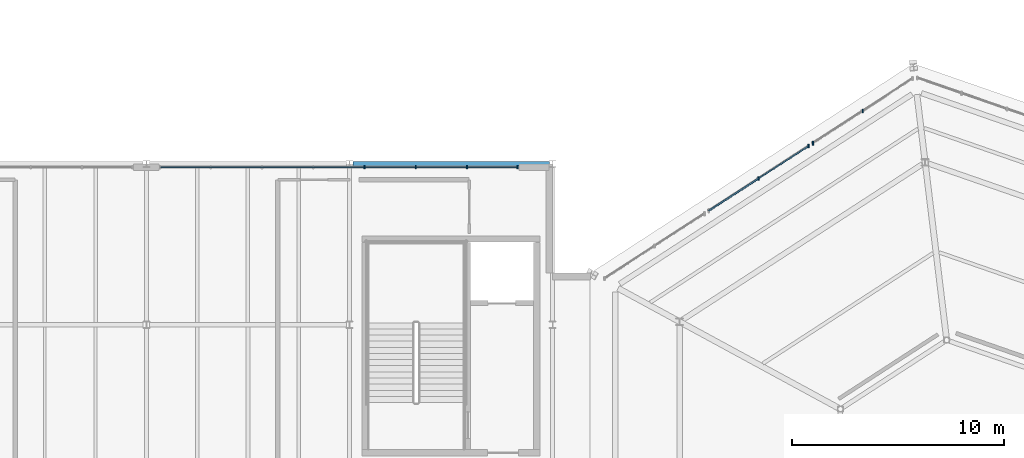
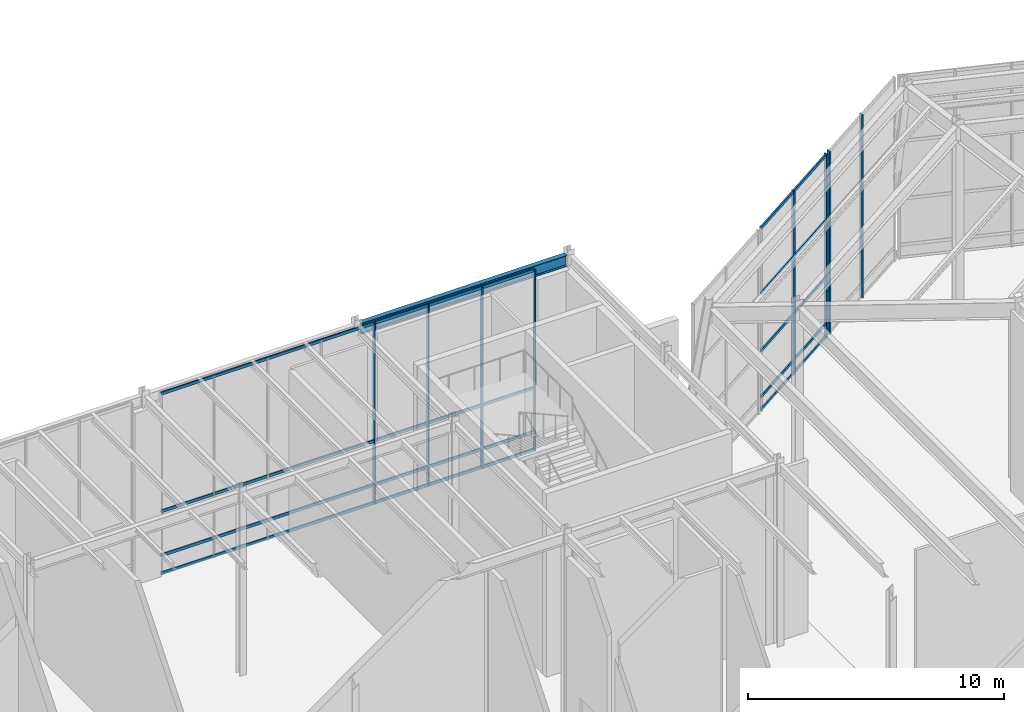
# One storey, part 20 of 48: 17 members, 1 beam, 3 elements without a shape of their own.
"""IFC4 building model written with IfcOpenShell, lengths in metres."""

from ifc_helpers import new_model, si_unit, direction, frame, origin, origin_2d, place, context, subcontext, project, spatial, rectangle, i_section, extrude, material, material_profile, profile_set, type_object, element, aggregate, save


model = new_model("IFC4")

# Units and contexts
model_context = context("Model", 3, precision=1e-05, world=origin(), true_north=direction((0.0, 1.0)))
body_context = subcontext(model_context, "Body", "Model", "MODEL_VIEW")
ifc_project = project(units=[si_unit("LENGTHUNIT", "METRE"), si_unit("AREAUNIT", "SQUARE_METRE"), si_unit("VOLUMEUNIT", "CUBIC_METRE"), si_unit("PLANEANGLEUNIT", "RADIAN"), si_unit("MASSUNIT", "GRAM", prefix="KILO")], contexts=[model_context])

# Site, building, storey
site_placement = place(None, origin())
site = spatial("IfcSite", under=ifc_project, at=site_placement, CompositionType="ELEMENT")
building_placement = place(site_placement, origin())
building = spatial("IfcBuilding", under=site, at=building_placement, Name="Sarnbrook Museum", CompositionType="ELEMENT")
storey_placement = place(building_placement, frame((0.0, 0.0, 19.10009765625)))
storey = spatial("IfcBuildingStorey", under=building, at=storey_placement, Name="L04", CompositionType="ELEMENT", Elevation=19.10009765625)

# Beam
ifc_material_1 = material(Name="Structural Steel Grade 300PLUS (AS/NZS 3679.1, fy = 280 MPa for 17 < t <= 40 mm, 300 MPa for t <= 17 mm)", Category="steel")
ifc_material_profile_1 = material_profile(ifc_material_1, i_section(OverallWidth=0.208984375, OverallDepth=0.532958984375, WebThickness=0.01025390625, FlangeThickness=0.015625, FilletRadius=0.013916015625, at=origin_2d()), Name="530UB92.4")
ifc_profile_set_1 = profile_set([ifc_material_profile_1], Name="Structural Steel Grade 300PLUS (AS/NZS 3679.1, fy = 280 MPa for 17 < t <= 40 mm, 300 MPa for t <= 17 mm)")
beam_type = type_object("IfcBeamType", Name="BM-UB530", PredefinedType="BEAM", material=ifc_profile_set_1)
beam_placement = place(storey_placement, frame((109.75341796875, 108.39990234375, 8.4833984375), z_axis=(1.0, 0.0, 0.0), x_axis=(0.0, 1.0, 0.0)))
element("IfcBeam", 1, at=beam_placement, inside=storey, type_object=beam_type, Name="Girder N:12-13 L04", PredefinedType="BEAM", context=body_context, shape_type="SweptSolid", body=[
    extrude(i_section(OverallWidth=0.208984375, OverallDepth=0.532958984375, WebThickness=0.01025390625, FlangeThickness=0.015625, FilletRadius=0.013916015625, at=origin_2d()), origin(), (0.0, 0.0, 1.0), 9.29296875),
])

# Curtain wall, members
ifc_material_2 = material(Name="Thermally Broken Anodised Aluminium 6063-T6", Category="aluminium")
curtain_wall_type_1 = type_object("IfcCurtainWallType", Name="CurtainWall_GalleryRibbon", PredefinedType="NOTDEFINED", material=ifc_material_2)
curtain_wall_1_placement = place(storey_placement, origin())
curtain_wall_1 = element("IfcCurtainWall", 2, at=curtain_wall_1_placement, inside=storey, type_object=curtain_wall_type_1, Name="Gallery Ribbon Curtain Wall L04-10.1", PredefinedType="NOTDEFINED")
ifc_material_profile_2 = material_profile(ifc_material_2, rectangle(XDim=0.06005859375, YDim=0.159912109375, at=origin_2d()), Name="ALU MULLION 60x160")
ifc_profile_set_2 = profile_set([ifc_material_profile_2], Name="Thermally Broken Anodised Aluminium 6063-T6")
member_type_1 = type_object("IfcMemberType", Name="CW_Mullion_150x65", PredefinedType="MULLION", material=ifc_profile_set_2)
member_1_placement = place(storey_placement, frame((117.5400390625, 108.239990234375, 0.0), z_axis=(0.0, 0.0, 1.0), x_axis=(1.0, 0.0, 0.0)))
member_1 = element("IfcMember", 3, at=member_1_placement, type_object=member_type_1, Name="Gallery Ribbon Curtain Wall L04-10.1 Mullion 1", PredefinedType="MULLION", context=body_context, shape_type="SweptSolid", body=[
    extrude(rectangle(XDim=0.06005859375, YDim=0.159912109375, at=origin_2d()), origin(), (0.0, 0.0, 1.0), 8.659912109375),
])
member_2_placement = place(storey_placement, frame((115.156982421875, 108.239990234375, 0.0), z_axis=(0.0, 0.0, 1.0), x_axis=(1.0, 0.0, 0.0)))
member_2 = element("IfcMember", 4, at=member_2_placement, type_object=member_type_1, Name="Gallery Ribbon Curtain Wall L04-10.1 Mullion 2", PredefinedType="MULLION", context=body_context, shape_type="SweptSolid", body=[
    extrude(rectangle(XDim=0.06005859375, YDim=0.159912109375, at=origin_2d()), origin(), (0.0, 0.0, 1.0), 8.659912109375),
])
member_3_placement = place(storey_placement, frame((112.734375, 108.239990234375, 0.0), z_axis=(0.0, 0.0, 1.0), x_axis=(1.0, 0.0, 0.0)))
member_3 = element("IfcMember", 5, at=member_3_placement, type_object=member_type_1, Name="Gallery Ribbon Curtain Wall L04-10.1 Mullion 3", PredefinedType="MULLION", context=body_context, shape_type="SweptSolid", body=[
    extrude(rectangle(XDim=0.06005859375, YDim=0.159912109375, at=origin_2d()), origin(), (0.0, 0.0, 1.0), 8.659912109375),
])
member_4_placement = place(storey_placement, frame((110.311279296875, 108.239990234375, 0.0), z_axis=(0.0, 0.0, 1.0), x_axis=(1.0, 0.0, 0.0)))
member_4 = element("IfcMember", 6, at=member_4_placement, type_object=member_type_1, Name="Gallery Ribbon Curtain Wall L04-10.1 Mullion 4", PredefinedType="MULLION", context=body_context, shape_type="SweptSolid", body=[
    extrude(rectangle(XDim=0.06005859375, YDim=0.159912109375, at=origin_2d()), origin(), (0.0, 0.0, 1.0), 8.659912109375),
])

curtain_wall_type_2 = type_object("IfcCurtainWallType", Name="CurtainWall_CrystalFacet", PredefinedType="NOTDEFINED", material=ifc_material_2)
curtain_wall_2_placement = place(storey_placement, origin())
curtain_wall_2 = element("IfcCurtainWall", 7, at=curtain_wall_2_placement, inside=storey, type_object=curtain_wall_type_2, Name="Crystal Hall Facet Curtain Wall L04-F6.1", PredefinedType="NOTDEFINED")
ifc_material_profile_3 = material_profile(ifc_material_2, rectangle(XDim=0.06494140625, YDim=0.179931640625, at=origin_2d()), Name="ALU MULLION 65x180")
ifc_profile_set_3 = profile_set([ifc_material_profile_3], Name="Thermally Broken Anodised Aluminium 6063-T6")
member_type_2 = type_object("IfcMemberType", Name="CW_Mullion_180x75", PredefinedType="MULLION", material=ifc_profile_set_3)
member_5_placement = place(storey_placement, frame((133.854736328125, 110.90380859375, 0.0), z_axis=(0.0, 0.0, 1.0), x_axis=(1.0, 0.0, 0.0)))
member_5 = element("IfcMember", 8, at=member_5_placement, type_object=member_type_2, Name="Crystal Hall Facet Curtain Wall L04-F6.1 Mullion 2", PredefinedType="MULLION", context=body_context, shape_type="SweptSolid", body=[
    extrude(rectangle(XDim=0.06494140625, YDim=0.179931640625, at=origin_2d()), origin(), (0.0, 0.0, 1.0), 8.739990234375),
])
member_6_placement = place(storey_placement, frame((131.4951171875, 109.372802734375, 0.0), z_axis=(0.0, 0.0, 1.0), x_axis=(1.0, 0.0, 0.0)))
member_6 = element("IfcMember", 9, at=member_6_placement, type_object=member_type_2, Name="Crystal Hall Facet Curtain Wall L04-F6.1 Mullion 3", PredefinedType="MULLION", context=body_context, shape_type="SweptSolid", body=[
    extrude(rectangle(XDim=0.06494140625, YDim=0.179931640625, at=origin_2d()), origin(), (0.0, 0.0, 1.0), 8.739990234375),
])
aggregate(curtain_wall_2, [member_5, member_6])

curtain_wall_3_placement = place(storey_placement, origin())
curtain_wall_3 = element("IfcCurtainWall", 10, at=curtain_wall_3_placement, inside=storey, type_object=curtain_wall_type_2, Name="Crystal Hall Facet Curtain Wall L04-F6.2", PredefinedType="NOTDEFINED")
member_7_placement = place(storey_placement, frame((131.293701171875, 109.2421875, 0.0), z_axis=(0.0, 0.0, 1.0), x_axis=(1.0, 0.0, 0.0)))
member_7 = element("IfcMember", 11, at=member_7_placement, type_object=member_type_2, Name="Crystal Hall Facet Curtain Wall L04-F6.2 Mullion 1", PredefinedType="MULLION", context=body_context, shape_type="SweptSolid", body=[
    extrude(rectangle(XDim=0.06494140625, YDim=0.179931640625, at=origin_2d()), origin(), (0.0, 0.0, 1.0), 8.739990234375),
])
member_8_placement = place(storey_placement, frame((128.93408203125, 107.711181640625, 0.0), z_axis=(0.0, 0.0, 1.0), x_axis=(1.0, 0.0, 0.0)))
member_8 = element("IfcMember", 12, at=member_8_placement, type_object=member_type_2, Name="Crystal Hall Facet Curtain Wall L04-F6.2 Mullion 2", PredefinedType="MULLION", context=body_context, shape_type="SweptSolid", body=[
    extrude(rectangle(XDim=0.06494140625, YDim=0.179931640625, at=origin_2d()), origin(), (0.0, 0.0, 1.0), 8.739990234375),
])
ifc_material_profile_4 = material_profile(ifc_material_2, rectangle(XDim=0.06494140625, YDim=0.139892578125, at=origin_2d()), Name="ALU TRANSOM 65x140")
ifc_profile_set_4 = profile_set([ifc_material_profile_4], Name="Thermally Broken Anodised Aluminium 6063-T6")
member_type_3 = type_object("IfcMemberType", Name="CW_Transom_150x65", PredefinedType="USERDEFINED", material=ifc_profile_set_4)
member_9_placement = place(storey_placement, frame((131.285400390625, 109.23681640625, 0.039794921875), z_axis=(-0.838900020897, -0.544285545407, 0.0), x_axis=(0.544285545407, -0.838900020897, 0.0)))
member_9 = element("IfcMember", 13, at=member_9_placement, type_object=member_type_3, Name="Crystal Hall Facet Curtain Wall L04-F6.2 Transom 1", ObjectType="TRANSOM", PredefinedType="USERDEFINED", context=body_context, shape_type="SweptSolid", body=[
    extrude(rectangle(XDim=0.06494140625, YDim=0.139892578125, at=origin_2d()), origin(), (0.0, 0.0, 1.0), 5.60595703125),
])
member_10_placement = place(storey_placement, frame((131.285400390625, 109.23681640625, 0.64990234375), z_axis=(-0.838900020897, -0.544285545407, 0.0), x_axis=(0.544285545407, -0.838900020897, 0.0)))
member_10 = element("IfcMember", 14, at=member_10_placement, type_object=member_type_3, Name="Crystal Hall Facet Curtain Wall L04-F6.2 Transom 2", ObjectType="TRANSOM", PredefinedType="USERDEFINED", context=body_context, shape_type="SweptSolid", body=[
    extrude(rectangle(XDim=0.06494140625, YDim=0.139892578125, at=origin_2d()), origin(), (0.0, 0.0, 1.0), 5.60595703125),
])
member_11_placement = place(storey_placement, frame((131.285400390625, 109.23681640625, 2.849853515625), z_axis=(-0.838900020897, -0.544285545407, 0.0), x_axis=(0.544285545407, -0.838900020897, 0.0)))
member_11 = element("IfcMember", 15, at=member_11_placement, type_object=member_type_3, Name="Crystal Hall Facet Curtain Wall L04-F6.2 Transom 3", ObjectType="TRANSOM", PredefinedType="USERDEFINED", context=body_context, shape_type="SweptSolid", body=[
    extrude(rectangle(XDim=0.06494140625, YDim=0.139892578125, at=origin_2d()), origin(), (0.0, 0.0, 1.0), 5.60595703125),
])
member_12_placement = place(storey_placement, frame((131.285400390625, 109.23681640625, 5.599853515625), z_axis=(-0.838900020897, -0.544285545407, 0.0), x_axis=(0.544285545407, -0.838900020897, 0.0)))
member_12 = element("IfcMember", 16, at=member_12_placement, type_object=member_type_3, Name="Crystal Hall Facet Curtain Wall L04-F6.2 Transom 4", ObjectType="TRANSOM", PredefinedType="USERDEFINED", context=body_context, shape_type="SweptSolid", body=[
    extrude(rectangle(XDim=0.06494140625, YDim=0.139892578125, at=origin_2d()), origin(), (0.0, 0.0, 1.0), 5.60595703125),
])
member_13_placement = place(storey_placement, frame((131.285400390625, 109.23681640625, 8.699951171875), z_axis=(-0.838900020897, -0.544285545407, 0.0), x_axis=(0.544285545407, -0.838900020897, 0.0)))
member_13 = element("IfcMember", 17, at=member_13_placement, type_object=member_type_3, Name="Crystal Hall Facet Curtain Wall L04-F6.2 Transom 5", ObjectType="TRANSOM", PredefinedType="USERDEFINED", context=body_context, shape_type="SweptSolid", body=[
    extrude(rectangle(XDim=0.06494140625, YDim=0.139892578125, at=origin_2d()), origin(), (0.0, 0.0, 1.0), 5.60595703125),
])
aggregate(curtain_wall_3, [member_7, member_8, member_9, member_10, member_11, member_12, member_13])

# Member
member_14_placement = place(storey_placement, frame((117.530029296875, 108.239990234375, 0.039794921875), z_axis=(-1.0, 0.0, 0.0), x_axis=(0.0, -1.0, 0.0)))
member_14 = element("IfcMember", 18, at=member_14_placement, type_object=member_type_3, Name="Gallery Ribbon Curtain Wall L04-10.1 Transom 1", ObjectType="TRANSOM", PredefinedType="USERDEFINED", context=body_context, shape_type="SweptSolid", body=[
    extrude(rectangle(XDim=0.06494140625, YDim=0.139892578125, at=origin_2d()), origin(), (0.0, 0.0, 1.0), 16.860107421875),
])

member_15_placement = place(storey_placement, frame((117.530029296875, 108.239990234375, 0.89990234375), z_axis=(-1.0, 0.0, 0.0), x_axis=(0.0, -1.0, 0.0)))
member_15 = element("IfcMember", 19, at=member_15_placement, type_object=member_type_3, Name="Gallery Ribbon Curtain Wall L04-10.1 Transom 2", ObjectType="TRANSOM", PredefinedType="USERDEFINED", context=body_context, shape_type="SweptSolid", body=[
    extrude(rectangle(XDim=0.06494140625, YDim=0.139892578125, at=origin_2d()), origin(), (0.0, 0.0, 1.0), 16.860107421875),
])

member_16_placement = place(storey_placement, frame((117.530029296875, 108.239990234375, 3.0), z_axis=(-1.0, 0.0, 0.0), x_axis=(0.0, -1.0, 0.0)))
member_16 = element("IfcMember", 20, at=member_16_placement, type_object=member_type_3, Name="Gallery Ribbon Curtain Wall L04-10.1 Transom 3", ObjectType="TRANSOM", PredefinedType="USERDEFINED", context=body_context, shape_type="SweptSolid", body=[
    extrude(rectangle(XDim=0.06494140625, YDim=0.139892578125, at=origin_2d()), origin(), (0.0, 0.0, 1.0), 16.860107421875),
])

member_17_placement = place(storey_placement, frame((117.530029296875, 108.239990234375, 8.619873046875), z_axis=(-1.0, 0.0, 0.0), x_axis=(0.0, -1.0, 0.0)))
member_17 = element("IfcMember", 21, at=member_17_placement, type_object=member_type_3, Name="Gallery Ribbon Curtain Wall L04-10.1 Transom 4", ObjectType="TRANSOM", PredefinedType="USERDEFINED", context=body_context, shape_type="SweptSolid", body=[
    extrude(rectangle(XDim=0.06494140625, YDim=0.139892578125, at=origin_2d()), origin(), (0.0, 0.0, 1.0), 16.860107421875),
])

aggregate(curtain_wall_1, [member_1, member_2, member_3, member_4, member_14, member_15, member_16, member_17])

save(model, "model.ifc")
